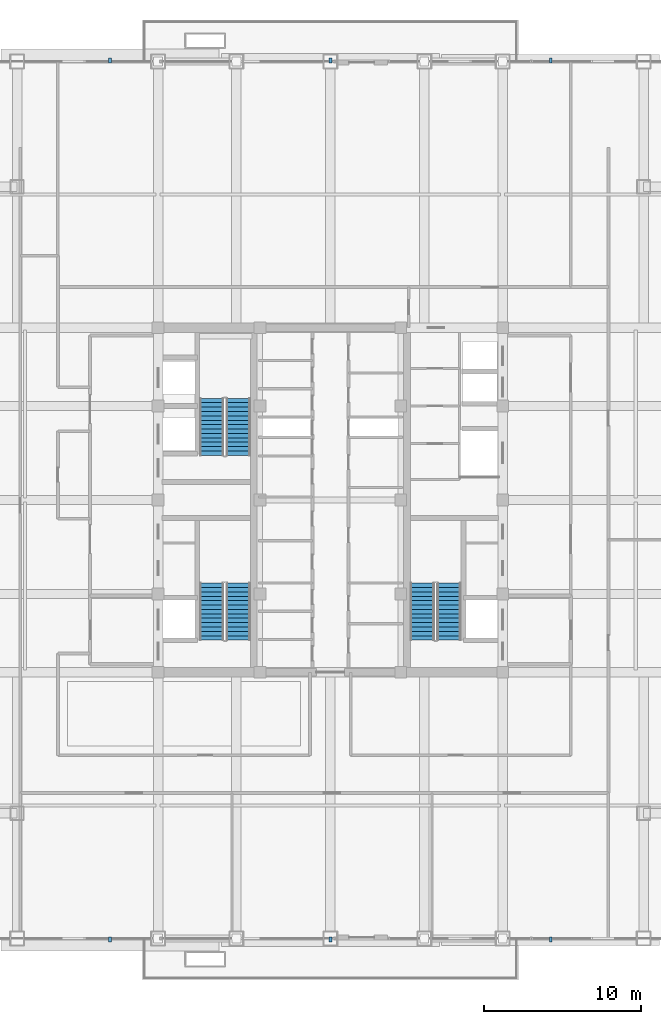
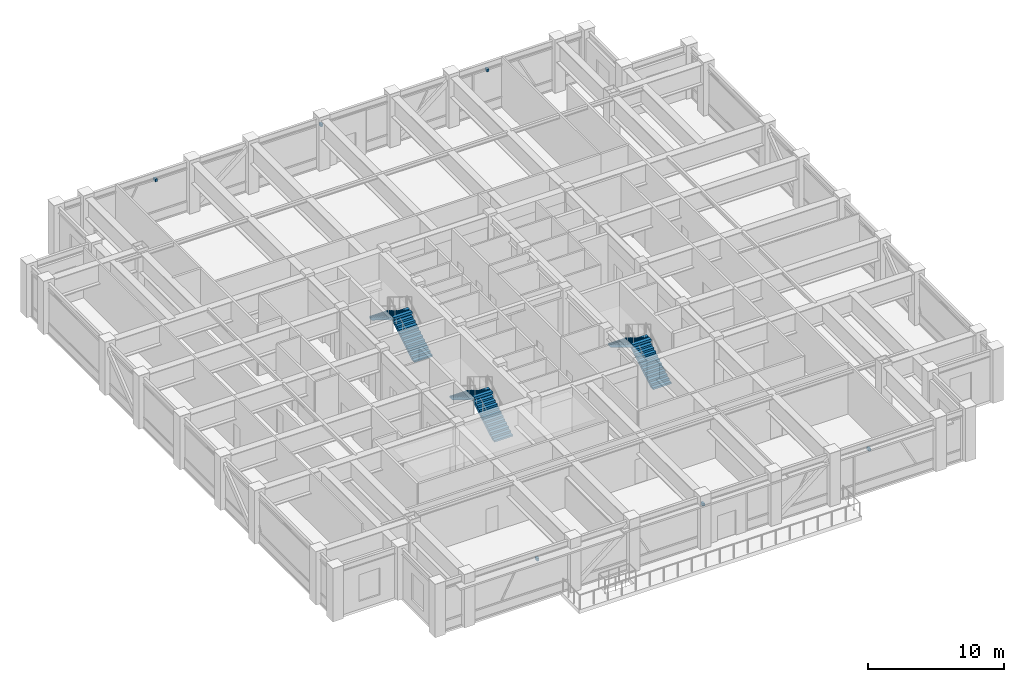
# One storey, part 26 of 31: 6 discrete accessories, 6 stair flights, 3 elements without a shape of their own.
"""IFC4 building model written with IfcOpenShell, lengths in metres."""

from ifc_helpers import new_model, si_unit, direction, frame, origin, origin_2d, place, context, subcontext, project, spatial, polyline, rectangle, outline, extrude, source, transform, mapped, material, type_object, element, aggregate, save


model = new_model("IFC4")

# Units and contexts
model_context = context("Model", 3, precision=1e-05, world=origin(), true_north=direction((0.0, 1.0)))
body_context = subcontext(model_context, "Body", "Model", "MODEL_VIEW")
ifc_project = project(units=[si_unit("LENGTHUNIT", "METRE"), si_unit("AREAUNIT", "SQUARE_METRE"), si_unit("VOLUMEUNIT", "CUBIC_METRE"), si_unit("PLANEANGLEUNIT", "RADIAN"), si_unit("MASSUNIT", "GRAM", prefix="KILO")], contexts=[model_context])

# Site, building, storey
site_placement = place(None, origin())
site = spatial("IfcSite", under=ifc_project, at=site_placement, CompositionType="ELEMENT")
building_placement = place(site_placement, origin())
building = spatial("IfcBuilding", under=site, at=building_placement, Name="Khorayat Bourse Tower", CompositionType="ELEMENT")
storey_placement = place(building_placement, frame((0.0, 0.0, 321.5)))
storey = spatial("IfcBuildingStorey", under=building, at=storey_placement, Name="L76", CompositionType="ELEMENT", Elevation=321.5)

# Stair, stair flights
ifc_material_1 = material(Name="Concrete C40/50", Category="concrete")
stair_type = type_object("IfcStairType", Name="STR-CORE-1550", PredefinedType="HALF_TURN_STAIR", material=ifc_material_1)
stair_1_placement = place(storey_placement, origin())
stair_1 = element("IfcStair", 1, at=stair_1_placement, inside=storey, type_object=stair_type, Name="L76 Exit Stair ST-1", PredefinedType="HALF_TURN_STAIR")
stair_flight_type = type_object("IfcStairFlightType", Name="FLT-CORE-1550", PredefinedType="STRAIGHT", material=ifc_material_1)
shared_shape_1 = source(origin(), body_context, "Body", "SweptSolid", [
    extrude(outline(polyline([(0.0, 0.0), (0.0, 0.17138671875), (0.280029296875, 0.17138671875), (0.280029296875, 0.3427734375), (0.56005859375, 0.3427734375), (0.56005859375, 0.514404296875), (0.840087890625, 0.514404296875), (0.840087890625, 0.685791015625), (1.1201171875, 0.685791015625), (1.1201171875, 0.857177734375), (1.39990234375, 0.857177734375), (1.39990234375, 1.028564453125), (1.679931640625, 1.028564453125), (1.679931640625, 1.199951171875), (1.9599609375, 1.199951171875), (1.9599609375, 1.371337890625), (2.239990234375, 1.371337890625), (2.239990234375, 1.54296875), (2.52001953125, 1.54296875), (2.52001953125, 1.71435546875), (2.800048828125, 1.71435546875), (2.800048828125, 1.8857421875), (3.080078125, 1.8857421875), (3.080078125, 2.05712890625), (3.360107421875, 2.05712890625), (3.360107421875, 2.228515625), (3.639892578125, 2.228515625), (3.639892578125, 2.39990234375), (3.639892578125, 2.017578125), (0.344482421875, 0.0), (0.0, 0.0)])), frame((0.0, 0.77490234375, 0.0), z_axis=(0.0, -1.0, 0.0), x_axis=(1.0, 0.0, 0.0)), (0.0, 0.0, 1.0), 1.550048828125),
])
stair_flight_1_placement = place(storey_placement, frame((-5.875, -8.949951171875, 0.0), z_axis=(0.0, 0.0, 1.0), x_axis=(0.0, 1.0, 0.0)))
stair_flight_1 = element("IfcStairFlight", 2, at=stair_flight_1_placement, type_object=stair_flight_type, Name="ST-1 flight 1", NumberOfRisers=14, NumberOfTreads=13, PredefinedType="STRAIGHT", RiserHeight=0.171428571, TreadLength=0.28, context=body_context, shape_type="MappedRepresentation", body=[
    mapped(shared_shape_1, transform((0.0, 0.0, 0.0), scale=1.0)),
])
stair_flight_2_placement = place(storey_placement, frame((-7.574951171875, -5.31005859375, 2.39990234375), z_axis=(0.0, 0.0, 1.0), x_axis=(0.0, -1.0, 0.0)))
stair_flight_2 = element("IfcStairFlight", 3, at=stair_flight_2_placement, type_object=stair_flight_type, Name="ST-1 flight 2", NumberOfRisers=14, NumberOfTreads=13, PredefinedType="STRAIGHT", RiserHeight=0.171428571, TreadLength=0.28, context=body_context, shape_type="MappedRepresentation", body=[
    mapped(shared_shape_1, transform((0.0, 0.0, 0.0), scale=1.0)),
])
aggregate(stair_1, [stair_flight_1, stair_flight_2])

stair_2_placement = place(storey_placement, origin())
stair_2 = element("IfcStair", 4, at=stair_2_placement, inside=storey, type_object=stair_type, Name="L76 Exit Stair ST-2", PredefinedType="HALF_TURN_STAIR")
stair_flight_3_placement = place(storey_placement, frame((-5.875, 2.85009765625, 0.0), z_axis=(0.0, 0.0, 1.0), x_axis=(0.0, 1.0, 0.0)))
stair_flight_3 = element("IfcStairFlight", 5, at=stair_flight_3_placement, type_object=stair_flight_type, Name="ST-2 flight 1", NumberOfRisers=14, NumberOfTreads=13, PredefinedType="STRAIGHT", RiserHeight=0.171428571, TreadLength=0.28, context=body_context, shape_type="MappedRepresentation", body=[
    mapped(shared_shape_1, transform((0.0, 0.0, 0.0), scale=1.0)),
])
stair_flight_4_placement = place(storey_placement, frame((-7.574951171875, 6.489990234375, 2.39990234375), z_axis=(0.0, 0.0, 1.0), x_axis=(0.0, -1.0, 0.0)))
stair_flight_4 = element("IfcStairFlight", 6, at=stair_flight_4_placement, type_object=stair_flight_type, Name="ST-2 flight 2", NumberOfRisers=14, NumberOfTreads=13, PredefinedType="STRAIGHT", RiserHeight=0.171428571, TreadLength=0.28, context=body_context, shape_type="MappedRepresentation", body=[
    mapped(shared_shape_1, transform((0.0, 0.0, 0.0), scale=1.0)),
])
aggregate(stair_2, [stair_flight_3, stair_flight_4])

stair_3_placement = place(storey_placement, origin())
stair_3 = element("IfcStair", 7, at=stair_3_placement, inside=storey, type_object=stair_type, Name="L76 Exit Stair ST-3", PredefinedType="HALF_TURN_STAIR")
stair_flight_5_placement = place(storey_placement, frame((7.574951171875, -8.949951171875, 0.0), z_axis=(0.0, 0.0, 1.0), x_axis=(0.0, 1.0, 0.0)))
stair_flight_5 = element("IfcStairFlight", 8, at=stair_flight_5_placement, type_object=stair_flight_type, Name="ST-3 flight 1", NumberOfRisers=14, NumberOfTreads=13, PredefinedType="STRAIGHT", RiserHeight=0.171428571, TreadLength=0.28, context=body_context, shape_type="MappedRepresentation", body=[
    mapped(shared_shape_1, transform((0.0, 0.0, 0.0), scale=1.0)),
])
stair_flight_6_placement = place(storey_placement, frame((5.875, -5.31005859375, 2.39990234375), z_axis=(0.0, 0.0, 1.0), x_axis=(0.0, -1.0, 0.0)))
stair_flight_6 = element("IfcStairFlight", 9, at=stair_flight_6_placement, type_object=stair_flight_type, Name="ST-3 flight 2", NumberOfRisers=14, NumberOfTreads=13, PredefinedType="STRAIGHT", RiserHeight=0.171428571, TreadLength=0.28, context=body_context, shape_type="MappedRepresentation", body=[
    mapped(shared_shape_1, transform((0.0, 0.0, 0.0), scale=1.0)),
])
aggregate(stair_3, [stair_flight_5, stair_flight_6])

# Discrete accessories
ifc_material_2 = material(Name="Steel EN 10025-2 S355J2", Category="steel")
discrete_accessory_type = type_object("IfcDiscreteAccessoryType", Name="ACC-SHADE-BRACKET", PredefinedType="BRACKET", material=ifc_material_2)
shared_shape_2 = source(origin(), body_context, "Body", "SweptSolid", [
    extrude(rectangle(XDim=0.179931640625, YDim=0.300048828125, at=origin_2d()), origin(), (0.0, 0.0, 1.0), 0.239990234375),
])
for number, where, z_axis, x_axis, name in (
    (10, (-14.066650390625, -28.06005859375, 3.64013671875), (0.0, 0.0, 1.0), (1.0, 0.0, 0.0), "L76 Sunshade Support Bracket S-1"),
    (11, (0.0, -28.06005859375, 3.64013671875), (0.0, 0.0, 1.0), (1.0, 0.0, 0.0), "L76 Sunshade Support Bracket S-2"),
    (12, (14.066650390625, -28.06005859375, 3.64013671875), (0.0, 0.0, 1.0), (1.0, 0.0, 0.0), "L76 Sunshade Support Bracket S-3"),
    (13, (-14.066650390625, 28.06005859375, 3.64013671875), (0.0, 0.0, 1.0), (1.0, 0.0, 0.0), "L76 Sunshade Support Bracket N-1"),
    (14, (0.0, 28.06005859375, 3.64013671875), (0.0, 0.0, 1.0), (1.0, 0.0, 0.0), "L76 Sunshade Support Bracket N-2"),
    (15, (14.066650390625, 28.06005859375, 3.64013671875), (0.0, 0.0, 1.0), (1.0, 0.0, 0.0), "L76 Sunshade Support Bracket N-3"),
):
    element("IfcDiscreteAccessory", number, at=place(storey_placement, frame(where, z_axis=z_axis, x_axis=x_axis)), inside=storey, type_object=discrete_accessory_type, Name=name, PredefinedType="BRACKET", context=body_context, shape_type="MappedRepresentation", body=[
        mapped(shared_shape_2, transform((0.0, 0.0, 0.0), scale=1.0)),
    ])

save(model, "model.ifc")
